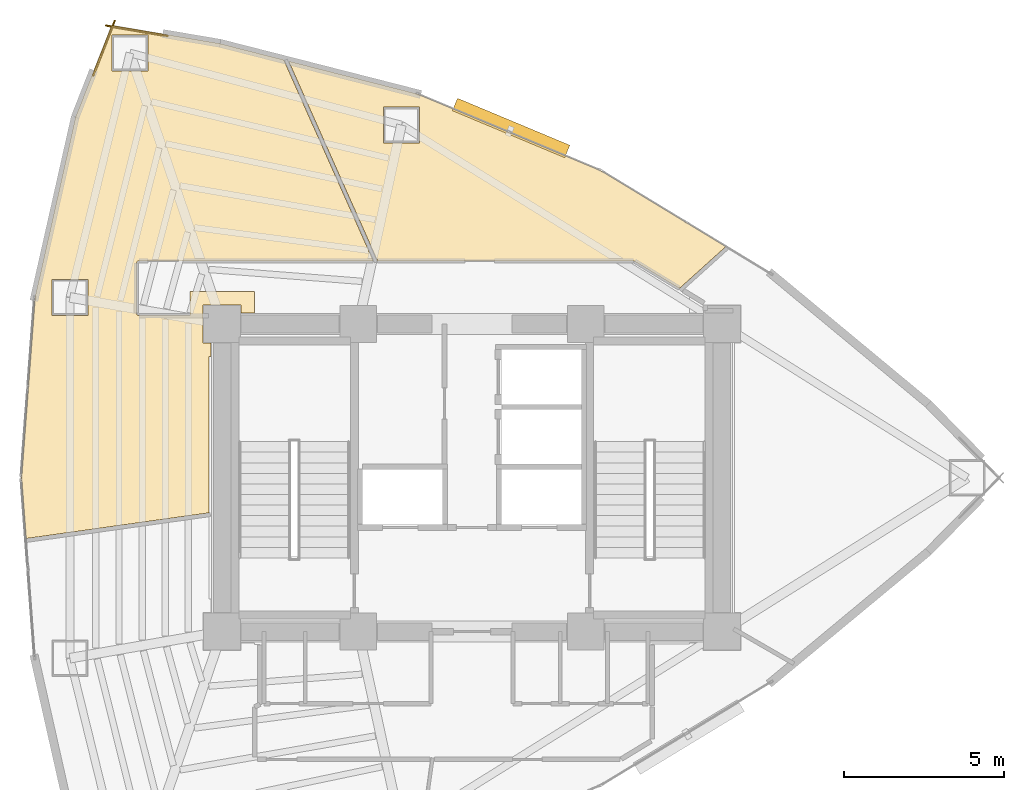
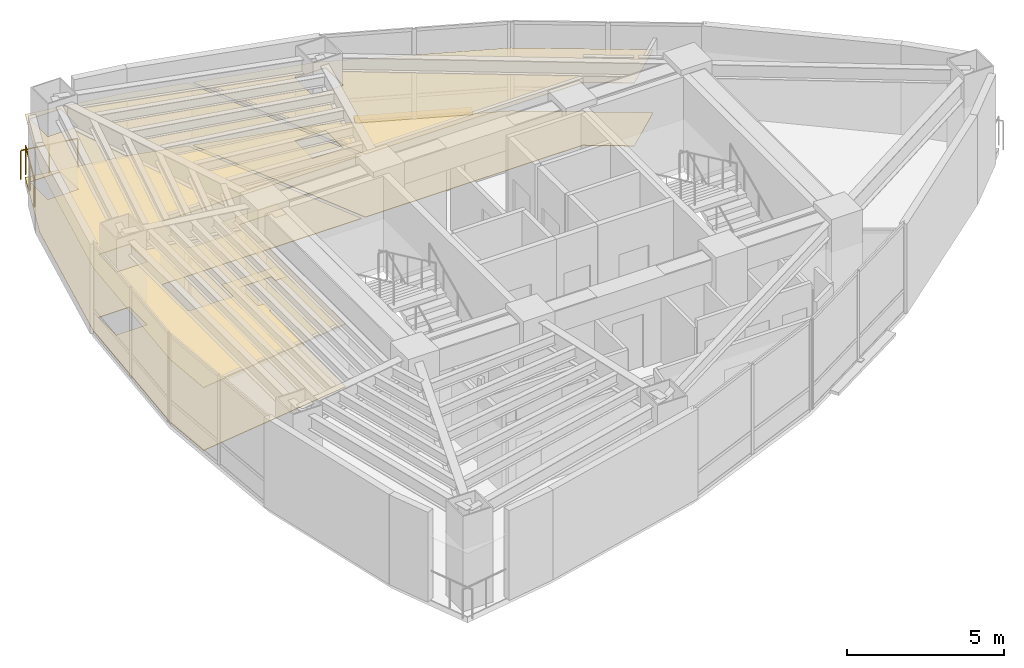
# One storey, part 15 of 15: 4 coverings, 2 railings, 1 shading device.
"""IFC4 building model written with IfcOpenShell, lengths in metres."""

from ifc_helpers import new_model, si_unit, direction, frame, origin, origin_2d, place, context, subcontext, project, spatial, polyline, rectangle, circle, outline, extrude, material, layer, layer_set, type_object, element, save


model = new_model("IFC4")

# Units and contexts
model_context = context("Model", 3, precision=1e-05, world=origin(), true_north=direction((0.0, 1.0)))
body_context = subcontext(model_context, "Body", "Model", "MODEL_VIEW")
ifc_project = project(units=[si_unit("LENGTHUNIT", "METRE"), si_unit("AREAUNIT", "SQUARE_METRE"), si_unit("VOLUMEUNIT", "CUBIC_METRE"), si_unit("PLANEANGLEUNIT", "RADIAN"), si_unit("MASSUNIT", "GRAM", prefix="KILO")], contexts=[model_context])

# Site, building, storey
site_placement = place(None, origin())
site = spatial("IfcSite", under=ifc_project, at=site_placement, CompositionType="ELEMENT")
building_placement = place(site_placement, origin())
building = spatial("IfcBuilding", under=site, at=building_placement, Name="Menara Vayukalpa", CompositionType="ELEMENT")
storey_placement = place(building_placement, frame((0.0, 0.0, 141.179931640625)))
storey = spatial("IfcBuildingStorey", under=building, at=storey_placement, Name="L35", CompositionType="ELEMENT", Elevation=141.179931640625)

# Coverings
ifc_material_1 = material(Name="Mineral Fibre Acoustic Ceiling Tile", Category="masonry")
ifc_layer_1 = layer(ifc_material_1, 0.02490234375)
ifc_layer_set_1 = layer_set([ifc_layer_1], Name="Mineral Fibre Acoustic Ceiling Tile")
covering_type_1 = type_object("IfcCoveringType", Name="COV-CLG1", PredefinedType="CEILING", material=ifc_layer_set_1)
covering_1_placement = place(storey_placement, frame((0.0, 0.0, 2.449951171875)))
element("IfcCovering", 1, at=covering_1_placement, inside=storey, type_object=covering_type_1, Name="L35 Corporate Training Classroom Acoustic Ceiling", PredefinedType="CEILING", context=body_context, shape_type="SweptSolid", body=[
    extrude(outline(polyline([(29.631591796875, 31.582275390625), (29.632080078125, 31.58203125), (29.6328125, 31.58154296875), (33.513916015625, 29.223876953125), (33.514892578125, 29.223388671875), (33.515625, 29.22265625), (33.51611328125, 29.221923828125), (33.516845703125, 29.22119140625), (33.517333984375, 29.220458984375), (33.517822265625, 29.219482421875), (33.518310546875, 29.218505859375), (33.5185546875, 29.2177734375), (33.518798828125, 29.216796875), (33.518798828125, 29.2158203125), (33.518798828125, 29.21484375), (33.518798828125, 29.2138671875), (33.5185546875, 29.212890625), (33.518310546875, 29.2119140625), (33.517822265625, 29.2109375), (33.517333984375, 29.210205078125), (33.516845703125, 29.209228515625), (33.51611328125, 29.20849609375), (33.515380859375, 29.2080078125), (32.080078125, 27.915283203125), (32.0791015625, 27.914794921875), (32.078369140625, 27.914306640625), (32.077392578125, 27.913818359375), (32.07666015625, 27.913330078125), (32.07568359375, 27.9130859375), (32.07470703125, 27.912841796875), (32.07373046875, 27.912841796875), (32.07275390625, 27.912841796875), (32.07177734375, 27.912841796875), (32.07080078125, 27.9130859375), (32.06982421875, 27.913330078125), (32.069091796875, 27.913818359375), (32.068115234375, 27.914306640625), (30.67626953125, 28.759765625), (30.670654296875, 28.762939453125), (30.664794921875, 28.765380859375), (30.65869140625, 28.767333984375), (30.65234375, 28.768798828125), (30.646240234375, 28.769775390625), (30.6396484375, 28.77001953125), (22.657958984375, 28.77001953125), (22.656982421875, 28.77001953125), (22.656005859375, 28.770263671875), (22.6552734375, 28.7705078125), (22.654296875, 28.770751953125), (22.6533203125, 28.77099609375), (22.652587890625, 28.771484375), (22.65185546875, 28.772216796875), (22.651123046875, 28.772705078125), (22.650390625, 28.7734375), (22.64990234375, 28.7744140625), (22.6494140625, 28.775146484375), (22.64892578125, 28.77587890625), (19.8828125, 34.98876953125), (19.88232421875, 34.989501953125), (19.882080078125, 34.990478515625), (19.882080078125, 34.991455078125), (19.8818359375, 34.992431640625), (19.8818359375, 34.993408203125), (19.882080078125, 34.994384765625), (19.882080078125, 34.995361328125), (19.882568359375, 34.996337890625), (19.8828125, 34.997314453125), (19.88330078125, 34.998046875), (19.884033203125, 34.998779296875), (19.884521484375, 34.99951171875), (19.88525390625, 35.000244140625), (19.885986328125, 35.0009765625), (19.886962890625, 35.00146484375), (19.8876953125, 35.001953125), (19.888671875, 35.002197265625), (19.8896484375, 35.00244140625), (19.890380859375, 35.002685546875), (19.8916015625, 35.002685546875), (19.892333984375, 35.002685546875), (19.893310546875, 35.002685546875), (19.894287109375, 35.00244140625), (23.89208984375, 33.98291015625), (23.8935546875, 33.982421875), (29.631591796875, 31.582275390625)]), holes=[polyline([(23.9619140625, 33.576904296875), (22.831787109375, 33.576904296875), (22.831787109375, 32.447021484375), (23.9619140625, 32.447021484375), (23.9619140625, 33.576904296875)])]), origin(), (0.0, 0.0, 1.0), 0.025146484375),
])
covering_2_placement = place(storey_placement, frame((0.0, 0.0, 2.449951171875)))
element("IfcCovering", 2, at=covering_2_placement, inside=storey, type_object=covering_type_1, Name="L35 Corporate Training Classroom Acoustic Ceiling", PredefinedType="CEILING", context=body_context, shape_type="SweptSolid", body=[
    extrude(outline(polyline([(18.81005859375, 27.14990234375), (18.389892578125, 27.14990234375), (18.389892578125, 27.389892578125), (17.2099609375, 27.389892578125), (17.2099609375, 26.2099609375), (17.449951171875, 26.2099609375), (17.449951171875, 25.7900390625), (17.389892578125, 25.7900390625), (17.389892578125, 20.915283203125), (17.389892578125, 20.914306640625), (17.389892578125, 20.91357421875), (17.3896484375, 20.91259765625), (17.389404296875, 20.91162109375), (17.388916015625, 20.910888671875), (17.388427734375, 20.909912109375), (17.387939453125, 20.9091796875), (17.38720703125, 20.908447265625), (17.386474609375, 20.90771484375), (17.3857421875, 20.9072265625), (17.385009765625, 20.90673828125), (17.384033203125, 20.90625), (17.38330078125, 20.906005859375), (17.38232421875, 20.90576171875), (17.38134765625, 20.905517578125), (11.689453125, 20.105712890625), (11.6884765625, 20.10546875), (11.6875, 20.10546875), (11.6865234375, 20.105712890625), (11.685791015625, 20.105712890625), (11.684814453125, 20.106201171875), (11.683837890625, 20.1064453125), (11.68310546875, 20.10693359375), (11.68212890625, 20.107421875), (11.681396484375, 20.10791015625), (11.680908203125, 20.108642578125), (11.68017578125, 20.109375), (11.6796875, 20.110107421875), (11.67919921875, 20.111083984375), (11.6787109375, 20.11181640625), (11.678466796875, 20.11279296875), (11.67822265625, 20.11376953125), (11.677978515625, 20.11474609375), (11.536865234375, 21.999267578125), (11.536865234375, 22.0), (11.536865234375, 22.000732421875), (11.958984375, 27.62939453125), (11.958984375, 27.631103515625), (13.2255859375, 33.260009765625), (13.225830078125, 33.2607421875), (13.22607421875, 33.261474609375), (14.348876953125, 36.120361328125), (14.349365234375, 36.12109375), (14.349853515625, 36.1220703125), (14.350341796875, 36.122802734375), (14.35107421875, 36.12353515625), (14.351806640625, 36.124267578125), (14.3525390625, 36.125), (14.353271484375, 36.12548828125), (14.354248046875, 36.125732421875), (14.35498046875, 36.126220703125), (14.35595703125, 36.12646484375), (14.35693359375, 36.126708984375), (14.35791015625, 36.126708984375), (14.35888671875, 36.126708984375), (14.35986328125, 36.126708984375), (17.730712890625, 35.55419921875), (17.7314453125, 35.55419921875), (19.7236328125, 35.0458984375), (19.724609375, 35.045654296875), (19.7255859375, 35.04541015625), (19.7265625, 35.044921875), (19.727294921875, 35.044189453125), (19.72802734375, 35.04345703125), (19.728759765625, 35.042724609375), (19.7294921875, 35.0419921875), (19.72998046875, 35.041015625), (19.73046875, 35.040283203125), (19.730712890625, 35.039306640625), (19.73095703125, 35.038330078125), (19.731201171875, 35.03662109375), (19.73291015625, 35.03076171875), (19.735107421875, 35.025146484375), (22.513916015625, 28.7841796875), (22.51416015625, 28.783203125), (22.514404296875, 28.7822265625), (22.5146484375, 28.78125), (22.5146484375, 28.7802734375), (22.5146484375, 28.779296875), (22.514404296875, 28.7783203125), (22.514404296875, 28.77734375), (22.513916015625, 28.7763671875), (22.513671875, 28.775390625), (22.51318359375, 28.774658203125), (22.512451171875, 28.773681640625), (22.51171875, 28.77294921875), (22.510986328125, 28.772216796875), (22.51025390625, 28.771728515625), (22.509521484375, 28.771240234375), (22.508544921875, 28.770751953125), (22.507568359375, 28.7705078125), (22.506591796875, 28.770263671875), (22.505615234375, 28.77001953125), (22.504638671875, 28.77001953125), (15.2001953125, 28.77001953125), (15.193115234375, 28.76953125), (15.186279296875, 28.768798828125), (15.1796875, 28.76708984375), (15.173095703125, 28.7646484375), (15.1669921875, 28.76171875), (15.1611328125, 28.75830078125), (15.155517578125, 28.75390625), (15.150390625, 28.74951171875), (15.14599609375, 28.744384765625), (15.141845703125, 28.73876953125), (15.13818359375, 28.73291015625), (15.13525390625, 28.726806640625), (15.133056640625, 28.72021484375), (15.13134765625, 28.713623046875), (15.13037109375, 28.706787109375), (15.1298828125, 28.69970703125), (15.1298828125, 27.140380859375), (15.13037109375, 27.13330078125), (15.13134765625, 27.126220703125), (15.133056640625, 27.11962890625), (15.13525390625, 27.11328125), (15.13818359375, 27.10693359375), (15.141845703125, 27.101318359375), (15.14599609375, 27.095458984375), (15.150390625, 27.090576171875), (15.155517578125, 27.0859375), (15.1611328125, 27.081787109375), (15.1669921875, 27.078125), (15.173095703125, 27.0751953125), (15.1796875, 27.072998046875), (15.186279296875, 27.0712890625), (15.193115234375, 27.0703125), (15.2001953125, 27.070068359375), (16.7900390625, 27.070068359375), (16.7900390625, 27.81005859375), (18.81005859375, 27.81005859375), (18.81005859375, 27.14990234375)]), holes=[polyline([(13.614013671875, 28.19677734375), (12.484130859375, 28.19677734375), (12.484130859375, 27.06689453125), (13.614013671875, 27.06689453125), (13.614013671875, 28.19677734375)]), polyline([(15.485595703125, 35.825439453125), (14.35546875, 35.825439453125), (14.35546875, 34.695556640625), (15.485595703125, 34.695556640625), (15.485595703125, 35.825439453125)])]), origin(), (0.0, 0.0, 1.0), 0.025146484375),
])
ifc_material_2 = material(Name="Porcelain Stoneware Floor Tile", Category="masonry")
ifc_layer_2 = layer(ifc_material_2, 0.02001953125)
ifc_layer_set_2 = layer_set([ifc_layer_2], Name="Porcelain Stoneware Floor Tile")
covering_type_2 = type_object("IfcCoveringType", Name="COV-FLR1", PredefinedType="FLOORING", material=ifc_layer_set_2)
covering_3_placement = place(storey_placement, origin())
element("IfcCovering", 3, at=covering_3_placement, inside=storey, type_object=covering_type_2, Name="L35 Corporate Training Classroom Porcelain Flooring", PredefinedType="FLOORING", context=body_context, shape_type="SweptSolid", body=[
    extrude(outline(polyline([(29.631591796875, 31.582275390625), (29.632080078125, 31.58203125), (29.6328125, 31.58154296875), (33.513916015625, 29.223876953125), (33.514892578125, 29.223388671875), (33.515625, 29.22265625), (33.51611328125, 29.221923828125), (33.516845703125, 29.22119140625), (33.517333984375, 29.220458984375), (33.517822265625, 29.219482421875), (33.518310546875, 29.218505859375), (33.5185546875, 29.2177734375), (33.518798828125, 29.216796875), (33.518798828125, 29.2158203125), (33.518798828125, 29.21484375), (33.518798828125, 29.2138671875), (33.5185546875, 29.212890625), (33.518310546875, 29.2119140625), (33.517822265625, 29.2109375), (33.517333984375, 29.210205078125), (33.516845703125, 29.209228515625), (33.51611328125, 29.20849609375), (33.515380859375, 29.2080078125), (32.080078125, 27.915283203125), (32.0791015625, 27.914794921875), (32.078369140625, 27.914306640625), (32.077392578125, 27.913818359375), (32.07666015625, 27.913330078125), (32.07568359375, 27.9130859375), (32.07470703125, 27.912841796875), (32.07373046875, 27.912841796875), (32.07275390625, 27.912841796875), (32.07177734375, 27.912841796875), (32.07080078125, 27.9130859375), (32.06982421875, 27.913330078125), (32.069091796875, 27.913818359375), (32.068115234375, 27.914306640625), (30.67626953125, 28.759765625), (30.670654296875, 28.762939453125), (30.664794921875, 28.765380859375), (30.65869140625, 28.767333984375), (30.65234375, 28.768798828125), (30.646240234375, 28.769775390625), (30.6396484375, 28.77001953125), (22.657958984375, 28.77001953125), (22.656982421875, 28.77001953125), (22.656005859375, 28.770263671875), (22.6552734375, 28.7705078125), (22.654296875, 28.770751953125), (22.6533203125, 28.77099609375), (22.652587890625, 28.771484375), (22.65185546875, 28.772216796875), (22.651123046875, 28.772705078125), (22.650390625, 28.7734375), (22.64990234375, 28.7744140625), (22.6494140625, 28.775146484375), (22.64892578125, 28.77587890625), (19.8828125, 34.98876953125), (19.88232421875, 34.989501953125), (19.882080078125, 34.990478515625), (19.882080078125, 34.991455078125), (19.8818359375, 34.992431640625), (19.8818359375, 34.993408203125), (19.882080078125, 34.994384765625), (19.882080078125, 34.995361328125), (19.882568359375, 34.996337890625), (19.8828125, 34.997314453125), (19.88330078125, 34.998046875), (19.884033203125, 34.998779296875), (19.884521484375, 34.99951171875), (19.88525390625, 35.000244140625), (19.885986328125, 35.0009765625), (19.886962890625, 35.00146484375), (19.8876953125, 35.001953125), (19.888671875, 35.002197265625), (19.8896484375, 35.00244140625), (19.890380859375, 35.002685546875), (19.8916015625, 35.002685546875), (19.892333984375, 35.002685546875), (19.893310546875, 35.002685546875), (19.894287109375, 35.00244140625), (23.89208984375, 33.98291015625), (23.8935546875, 33.982421875), (29.631591796875, 31.582275390625)]), holes=[polyline([(23.9619140625, 33.576904296875), (22.831787109375, 33.576904296875), (22.831787109375, 32.447021484375), (23.9619140625, 32.447021484375), (23.9619140625, 33.576904296875)])]), origin(), (0.0, 0.0, 1.0), 0.02001953125),
])
covering_4_placement = place(storey_placement, origin())
element("IfcCovering", 4, at=covering_4_placement, inside=storey, type_object=covering_type_2, Name="L35 Corporate Training Classroom Porcelain Flooring", PredefinedType="FLOORING", context=body_context, shape_type="SweptSolid", body=[
    extrude(outline(polyline([(18.81005859375, 27.14990234375), (18.389892578125, 27.14990234375), (18.389892578125, 27.389892578125), (17.2099609375, 27.389892578125), (17.2099609375, 26.2099609375), (17.449951171875, 26.2099609375), (17.449951171875, 25.7900390625), (17.389892578125, 25.7900390625), (17.389892578125, 20.915283203125), (17.389892578125, 20.914306640625), (17.389892578125, 20.91357421875), (17.3896484375, 20.91259765625), (17.389404296875, 20.91162109375), (17.388916015625, 20.910888671875), (17.388427734375, 20.909912109375), (17.387939453125, 20.9091796875), (17.38720703125, 20.908447265625), (17.386474609375, 20.90771484375), (17.3857421875, 20.9072265625), (17.385009765625, 20.90673828125), (17.384033203125, 20.90625), (17.38330078125, 20.906005859375), (17.38232421875, 20.90576171875), (17.38134765625, 20.905517578125), (11.689453125, 20.105712890625), (11.6884765625, 20.10546875), (11.6875, 20.10546875), (11.6865234375, 20.105712890625), (11.685791015625, 20.105712890625), (11.684814453125, 20.106201171875), (11.683837890625, 20.1064453125), (11.68310546875, 20.10693359375), (11.68212890625, 20.107421875), (11.681396484375, 20.10791015625), (11.680908203125, 20.108642578125), (11.68017578125, 20.109375), (11.6796875, 20.110107421875), (11.67919921875, 20.111083984375), (11.6787109375, 20.11181640625), (11.678466796875, 20.11279296875), (11.67822265625, 20.11376953125), (11.677978515625, 20.11474609375), (11.536865234375, 21.999267578125), (11.536865234375, 22.0), (11.536865234375, 22.000732421875), (11.958984375, 27.62939453125), (11.958984375, 27.631103515625), (13.2255859375, 33.260009765625), (13.225830078125, 33.2607421875), (13.22607421875, 33.261474609375), (14.348876953125, 36.120361328125), (14.349365234375, 36.12109375), (14.349853515625, 36.1220703125), (14.350341796875, 36.122802734375), (14.35107421875, 36.12353515625), (14.351806640625, 36.124267578125), (14.3525390625, 36.125), (14.353271484375, 36.12548828125), (14.354248046875, 36.125732421875), (14.35498046875, 36.126220703125), (14.35595703125, 36.12646484375), (14.35693359375, 36.126708984375), (14.35791015625, 36.126708984375), (14.35888671875, 36.126708984375), (14.35986328125, 36.126708984375), (17.730712890625, 35.55419921875), (17.7314453125, 35.55419921875), (19.7236328125, 35.0458984375), (19.724609375, 35.045654296875), (19.7255859375, 35.04541015625), (19.7265625, 35.044921875), (19.727294921875, 35.044189453125), (19.72802734375, 35.04345703125), (19.728759765625, 35.042724609375), (19.7294921875, 35.0419921875), (19.72998046875, 35.041015625), (19.73046875, 35.040283203125), (19.730712890625, 35.039306640625), (19.73095703125, 35.038330078125), (19.731201171875, 35.03662109375), (19.73291015625, 35.03076171875), (19.735107421875, 35.025146484375), (22.513916015625, 28.7841796875), (22.51416015625, 28.783203125), (22.514404296875, 28.7822265625), (22.5146484375, 28.78125), (22.5146484375, 28.7802734375), (22.5146484375, 28.779296875), (22.514404296875, 28.7783203125), (22.514404296875, 28.77734375), (22.513916015625, 28.7763671875), (22.513671875, 28.775390625), (22.51318359375, 28.774658203125), (22.512451171875, 28.773681640625), (22.51171875, 28.77294921875), (22.510986328125, 28.772216796875), (22.51025390625, 28.771728515625), (22.509521484375, 28.771240234375), (22.508544921875, 28.770751953125), (22.507568359375, 28.7705078125), (22.506591796875, 28.770263671875), (22.505615234375, 28.77001953125), (22.504638671875, 28.77001953125), (15.2001953125, 28.77001953125), (15.193115234375, 28.76953125), (15.186279296875, 28.768798828125), (15.1796875, 28.76708984375), (15.173095703125, 28.7646484375), (15.1669921875, 28.76171875), (15.1611328125, 28.75830078125), (15.155517578125, 28.75390625), (15.150390625, 28.74951171875), (15.14599609375, 28.744384765625), (15.141845703125, 28.73876953125), (15.13818359375, 28.73291015625), (15.13525390625, 28.726806640625), (15.133056640625, 28.72021484375), (15.13134765625, 28.713623046875), (15.13037109375, 28.706787109375), (15.1298828125, 28.69970703125), (15.1298828125, 27.140380859375), (15.13037109375, 27.13330078125), (15.13134765625, 27.126220703125), (15.133056640625, 27.11962890625), (15.13525390625, 27.11328125), (15.13818359375, 27.10693359375), (15.141845703125, 27.101318359375), (15.14599609375, 27.095458984375), (15.150390625, 27.090576171875), (15.155517578125, 27.0859375), (15.1611328125, 27.081787109375), (15.1669921875, 27.078125), (15.173095703125, 27.0751953125), (15.1796875, 27.072998046875), (15.186279296875, 27.0712890625), (15.193115234375, 27.0703125), (15.2001953125, 27.070068359375), (16.7900390625, 27.070068359375), (16.7900390625, 27.81005859375), (18.81005859375, 27.81005859375), (18.81005859375, 27.14990234375)]), holes=[polyline([(13.614013671875, 28.19677734375), (12.484130859375, 28.19677734375), (12.484130859375, 27.06689453125), (13.614013671875, 27.06689453125), (13.614013671875, 28.19677734375)]), polyline([(15.485595703125, 35.825439453125), (14.35546875, 35.825439453125), (14.35546875, 34.695556640625), (15.485595703125, 34.695556640625), (15.485595703125, 35.825439453125)])]), origin(), (0.0, 0.0, 1.0), 0.02001953125),
])

# Railings
ifc_material_3 = material(Name="Laminated Glass and Stainless Steel 316 Guardrail", Category="steel")
railing_type = type_object("IfcRailingType", Name="RLG-EXT115", PredefinedType="GUARDRAIL", material=ifc_material_3)
railing_1_placement = place(storey_placement, frame((16.095947265625, 35.791259765625, 0.0)))
element("IfcRailing", 5, at=railing_1_placement, inside=storey, type_object=railing_type, Name="L35 Column Corner Spandrel Guardrail 07-1", PredefinedType="GUARDRAIL", context=body_context, shape_type="SweptSolid", body=[
    extrude(circle(Radius=0.02392578125, at=origin_2d()), frame((0.0, 0.0, 1.1259765625), z_axis=(-0.985886955751, 0.167412396435, 0.0), x_axis=(-0.167412396435, -0.985886955751, 0.0)), (0.0, 0.0, 1.0), 1.94384765625),
    extrude(circle(Radius=0.02099609375, at=origin_2d()), origin(), (0.0, 0.0, 1.0), 1.101806640625),
    extrude(circle(Radius=0.02099609375, at=origin_2d()), frame((-0.958251953125, 0.16259765625, 0.0)), (0.0, 0.0, 1.0), 1.101806640625),
    extrude(circle(Radius=0.02099609375, at=origin_2d()), frame((-1.91650390625, 0.325439453125, 0.0)), (0.0, 0.0, 1.0), 1.101806640625),
])
railing_2_placement = place(storey_placement, frame((14.450439453125, 36.269775390625, 0.0)))
element("IfcRailing", 6, at=railing_2_placement, inside=storey, type_object=railing_type, Name="L35 Column Corner Spandrel Guardrail 08-1", PredefinedType="GUARDRAIL", context=body_context, shape_type="SweptSolid", body=[
    extrude(circle(Radius=0.02392578125, at=origin_2d()), frame((0.0, 0.0, 1.1259765625), z_axis=(-0.365496165744, -0.93081284522, 0.0), x_axis=(0.93081284522, -0.365496165744, 0.0)), (0.0, 0.0, 1.0), 1.837646484375),
    extrude(circle(Radius=0.02099609375, at=origin_2d()), origin(), (0.0, 0.0, 1.0), 1.101806640625),
    extrude(circle(Radius=0.02099609375, at=origin_2d()), frame((-0.3359375, -0.855224609375, 0.0)), (0.0, 0.0, 1.0), 1.101806640625),
    extrude(circle(Radius=0.02099609375, at=origin_2d()), frame((-0.671630859375, -1.71044921875, 0.0)), (0.0, 0.0, 1.0), 1.101806640625),
])

# Shading device
ifc_material_4 = material(Name="Glazed Terracotta Ceramic Baguette Extrusion", Category="masonry")
ifc_layer_3 = layer(ifc_material_4, 0.1201171875)
ifc_layer_set_3 = layer_set([ifc_layer_3], Name="Glazed Terracotta Ceramic Baguette Extrusion")
shading_device_type = type_object("IfcShadingDeviceType", Name="SHD-SS1", PredefinedType="USERDEFINED", material=ifc_layer_set_3)
shading_device_placement = place(storey_placement, frame((26.8203125, 32.9208984375, -0.10009765625), z_axis=(0.0, 0.0, 1.0), x_axis=(-0.922544824647, 0.385889940938, 0.0)))
element("IfcShadingDevice", 7, at=shading_device_placement, inside=storey, type_object=shading_device_type, Name="L35 Horizontal Terracotta Sunshade Band 05", ObjectType="SUNSHADE", PredefinedType="USERDEFINED", context=body_context, shape_type="SweptSolid", body=[
    extrude(rectangle(XDim=3.800048828125, YDim=0.419921875, at=origin_2d()), origin(), (0.0, 0.0, 1.0), 0.1201171875),
])

save(model, "model.ifc")
